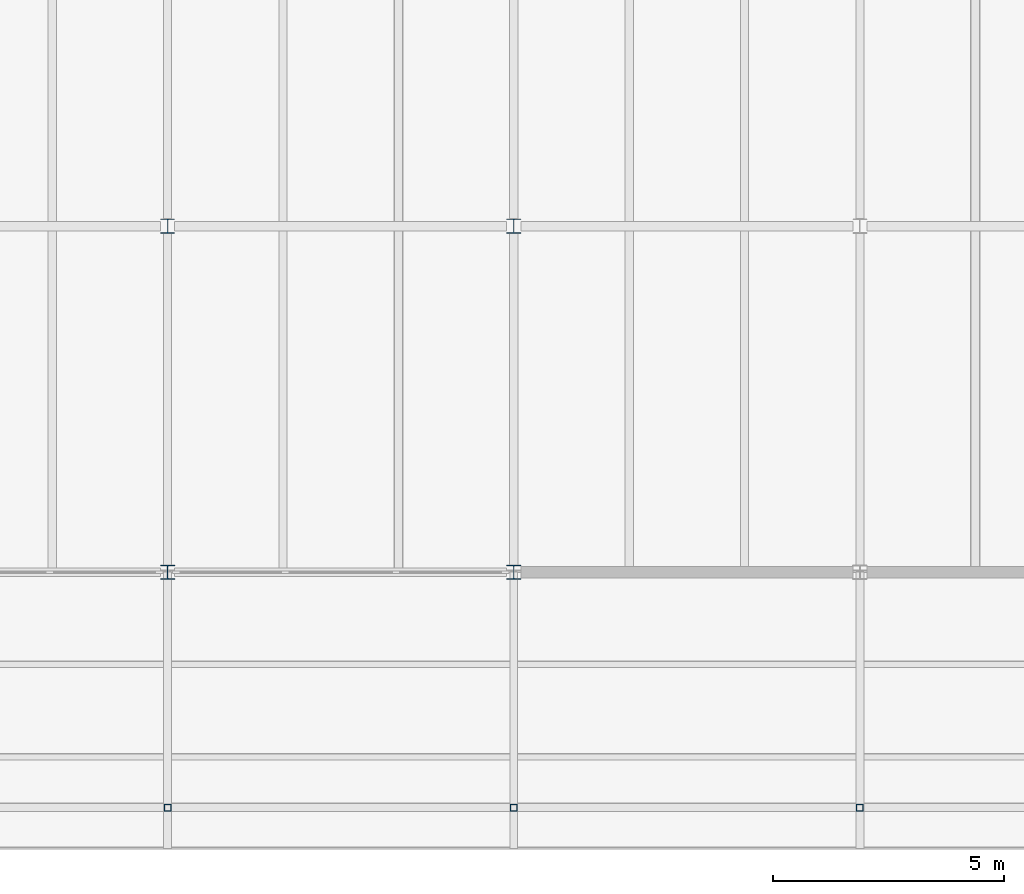
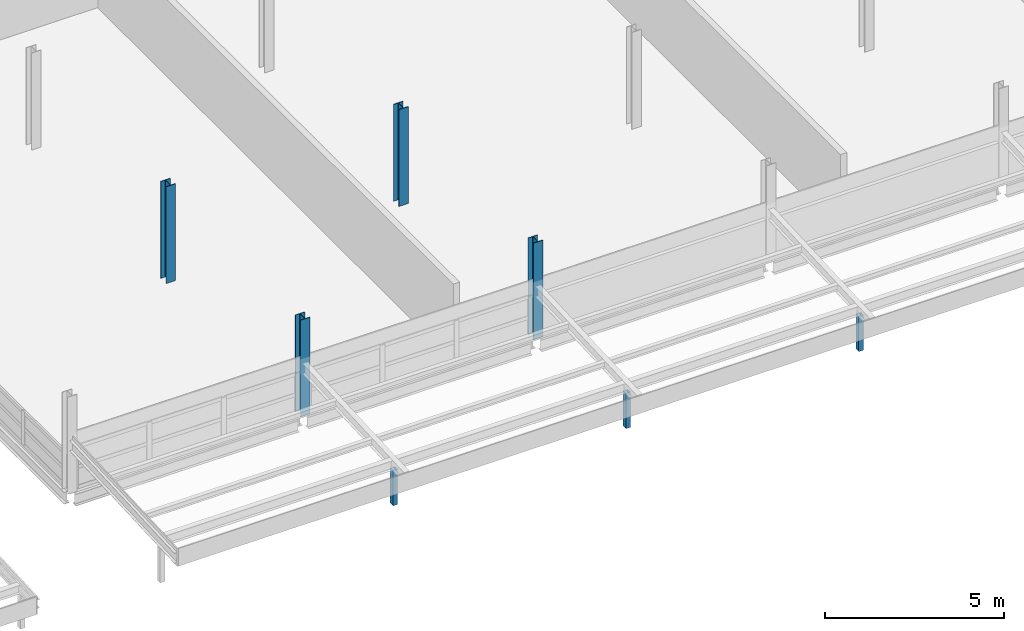
# One storey, part 8 of 214: 7 columns.
"""IFC4 building model written with IfcOpenShell, lengths in metres."""

from ifc_helpers import new_model, si_unit, direction, frame, origin, origin_2d, place, context, subcontext, project, spatial, hollow_rectangle, i_section, extrude, material, material_profile, profile_set, type_object, element, save


model = new_model("IFC4")

# Units and contexts
model_context = context("Model", 3, precision=1e-05, world=origin(), true_north=direction((0.0, 1.0)))
body_context = subcontext(model_context, "Body", "Model", "MODEL_VIEW")
ifc_project = project(units=[si_unit("LENGTHUNIT", "METRE"), si_unit("AREAUNIT", "SQUARE_METRE"), si_unit("VOLUMEUNIT", "CUBIC_METRE"), si_unit("PLANEANGLEUNIT", "RADIAN"), si_unit("MASSUNIT", "GRAM", prefix="KILO")], contexts=[model_context])

# Site, building, storey
site_placement = place(None, origin())
site = spatial("IfcSite", under=ifc_project, at=site_placement, CompositionType="ELEMENT")
building_placement = place(site_placement, origin())
building = spatial("IfcBuilding", under=site, at=building_placement, Name="Parallax Yard Mobility Hub", CompositionType="ELEMENT")
storey_placement = place(building_placement, frame((0.0, 0.0, 3.300048828125)))
storey = spatial("IfcBuildingStorey", under=building, at=storey_placement, Name="L01", CompositionType="ELEMENT", Elevation=3.300048828125)

# Columns
ifc_material_1 = material(Name="Steel ASTM A500 Gr C", Category="steel")
ifc_material_profile_1 = material_profile(ifc_material_1, hollow_rectangle(XDim=0.15234375, YDim=0.15234375, WallThickness=0.009521484375, at=origin_2d()), Name="HSS152x152x9.5")
ifc_profile_set_1 = profile_set([ifc_material_profile_1], Name="Steel ASTM A500 Gr C")
column_type_1 = type_object("IfcColumnType", Name="Roof column HSS152x152x9.5", PredefinedType="COLUMN", material=ifc_profile_set_1)
for number, where, z_axis, x_axis, name in (
    (1, (105.0, 2.39990234375, 0.0), (0.0, 0.0, 1.0), (1.0, 0.0, 0.0), "Arcade column V6 2 level L01"),
    (2, (112.5, 2.39990234375, 0.0), (0.0, 0.0, 1.0), (1.0, 0.0, 0.0), "Arcade column V6 3 level L01"),
    (3, (120.0, 2.39990234375, 0.0), (0.0, 0.0, 1.0), (1.0, 0.0, 0.0), "Arcade column V6 4 level L01"),
):
    element("IfcColumn", number, at=place(storey_placement, frame(where, z_axis=z_axis, x_axis=x_axis)), inside=storey, type_object=column_type_1, Name=name, PredefinedType="COLUMN", context=body_context, shape_type="SweptSolid", body=[
        extrude(hollow_rectangle(XDim=0.15234375, YDim=0.15234375, WallThickness=0.009521484375, at=origin_2d()), origin(), (0.0, 0.0, 1.0), 1.199951171875),
    ])
ifc_material_2 = material(Name="Steel ASTM A992", Category="steel")
ifc_material_profile_2 = material_profile(ifc_material_2, i_section(OverallWidth=0.304931640625, OverallDepth=0.31201171875, WebThickness=0.010986328125, FlangeThickness=0.01708984375, FilletRadius=0.015380859375, at=origin_2d()), Name="W310x107")
ifc_profile_set_2 = profile_set([ifc_material_profile_2], Name="Steel ASTM A992")
column_type_2 = type_object("IfcColumnType", Name="W310x107 column", PredefinedType="COLUMN", material=ifc_profile_set_2)
for number, where, z_axis, x_axis, name in (
    (4, (105.0, 15.0, 0.0), (0.0, 0.0, 1.0), (1.0, 0.0, 0.0), "Column C2 level L01 at C/15 of mobility service centre and workshops"),
    (5, (112.5, 15.0, 0.0), (0.0, 0.0, 1.0), (1.0, 0.0, 0.0), "Column C2 level L01 at C/16 of mobility service centre and workshops"),
):
    element("IfcColumn", number, at=place(storey_placement, frame(where, z_axis=z_axis, x_axis=x_axis)), inside=storey, type_object=column_type_2, Name=name, PredefinedType="COLUMN", context=body_context, shape_type="SweptSolid", body=[
        extrude(i_section(OverallWidth=0.304931640625, OverallDepth=0.31201171875, WebThickness=0.010986328125, FlangeThickness=0.01708984375, FilletRadius=0.015380859375, at=origin_2d()), origin(), (0.0, 0.0, 1.0), 3.300048828125),
    ])
ifc_material_profile_3 = material_profile(ifc_material_2, i_section(OverallWidth=0.304931640625, OverallDepth=0.306884765625, WebThickness=0.010009765625, FlangeThickness=0.015380859375, FilletRadius=0.01513671875, at=origin_2d()), Name="W310x97")
ifc_profile_set_3 = profile_set([ifc_material_profile_3], Name="Steel ASTM A992")
column_type_3 = type_object("IfcColumnType", Name="W310x97 column", PredefinedType="COLUMN", material=ifc_profile_set_3)
for number, where, z_axis, x_axis, name in (
    (6, (105.0, 7.5, 0.0), (0.0, 0.0, 1.0), (1.0, 0.0, 0.0), "Column C1 level L01 at B/15 of mobility service centre and workshops"),
    (7, (112.5, 7.5, 0.0), (0.0, 0.0, 1.0), (1.0, 0.0, 0.0), "Column C1 level L01 at B/16 of mobility service centre and workshops"),
):
    element("IfcColumn", number, at=place(storey_placement, frame(where, z_axis=z_axis, x_axis=x_axis)), inside=storey, type_object=column_type_3, Name=name, PredefinedType="COLUMN", context=body_context, shape_type="SweptSolid", body=[
        extrude(i_section(OverallWidth=0.304931640625, OverallDepth=0.306884765625, WebThickness=0.010009765625, FlangeThickness=0.015380859375, FilletRadius=0.01513671875, at=origin_2d()), origin(), (0.0, 0.0, 1.0), 3.300048828125),
    ])

save(model, "model.ifc")
